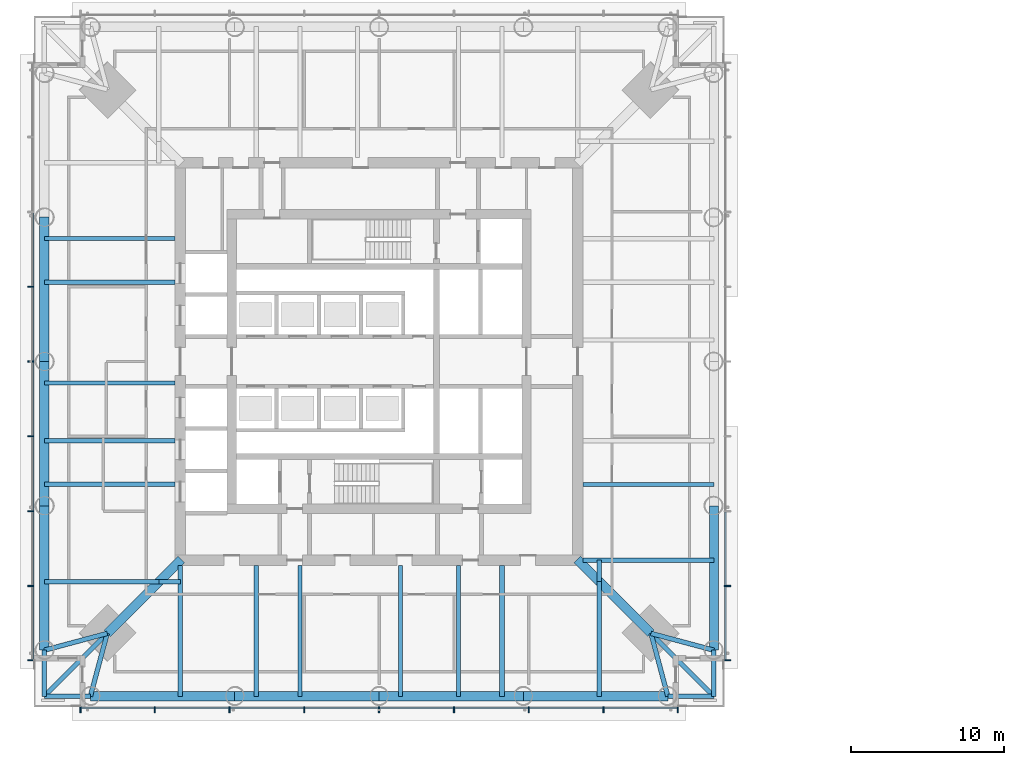
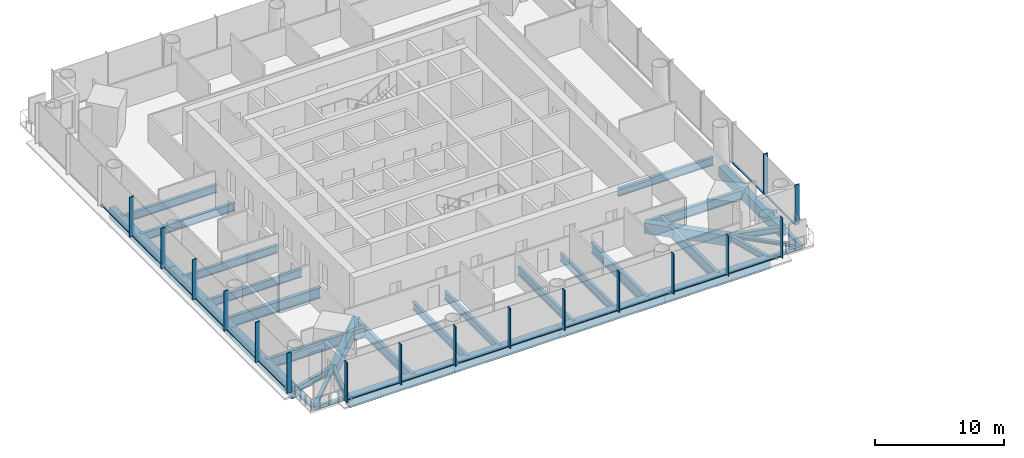
# One storey, part 2 of 27: 43 members, 27 beams, 3 elements without a shape of their own.
"""IFC4 building model written with IfcOpenShell, lengths in metres."""

import ifcopenshell
import ifcopenshell.guid

model = None  # the IFC model being written
_history = None  # IfcOwnerHistory: only IFC2X3 demands one
_inside = {}  # id of a spatial element -> (the spatial element, [elements in it])
_under = {}  # id of a project, library or spatial element -> (it, [spatial elements below it])
_declared = {}  # id of a project -> (the project, [libraries it declares])
_typed = {}  # id of a type object -> (the type object, [elements of that type])
_made_of = {}  # id of a material, layer set ... -> (it, [elements and type objects made of it])


def new_model(schema):
    """Start an empty IFC model of exactly this schema.

    Asked for "IFC4X3", IfcOpenShell would pick the latest addendum, in which some entities
    have other attributes; the version numbers below select the first issue.
    IFC2X3 requires an IfcOwnerHistory on every rooted entity: one is made here for all.
    """
    global model, _history
    if schema == "IFC4X3":
        model = ifcopenshell.file(schema_version=(4, 3, 0, 0))
    else:
        model = ifcopenshell.file(schema=schema)
    _inside.clear()
    _under.clear()
    _declared.clear()
    _typed.clear()
    _made_of.clear()
    _history = None
    if model.schema == "IFC2X3":
        org = make("IfcOrganization", Name="unknown")
        user = make(
            "IfcPersonAndOrganization",
            ThePerson=make("IfcPerson", FamilyName="unknown"),
            TheOrganization=org,
        )
        app = make(
            "IfcApplication",
            ApplicationDeveloper=org,
            Version="unknown",
            ApplicationFullName="unknown",
            ApplicationIdentifier="unknown",
        )
        _history = make(
            "IfcOwnerHistory",
            OwningUser=user,
            OwningApplication=app,
            ChangeAction="ADDED",
            CreationDate=0,
        )
    return model


def make(cls, **values):
    """One entity of the class cls with the attributes given. An attribute that is None is left unset."""
    return model.create_entity(
        cls, **{name: value for name, value in values.items() if value is not None}
    )


def rooted(cls, **values):
    """An entity with a GlobalId (a new one), such as an element, a storey or a relation."""
    return make(cls, GlobalId=ifcopenshell.guid.new(), OwnerHistory=_history, **values)


def si_unit(unit_type, name, prefix=None):
    """IfcSIUnit, for example si_unit("LENGTHUNIT", "METRE", prefix="MILLI")."""
    return make("IfcSIUnit", UnitType=unit_type, Prefix=prefix, Name=name)


def assignment(units):
    """IfcUnitAssignment: the units of a project."""
    return None if units is None else make("IfcUnitAssignment", Units=units)


def point(xyz):
    """IfcCartesianPoint."""
    return None if xyz is None else make("IfcCartesianPoint", Coordinates=xyz)


def direction(xyz):
    """IfcDirection."""
    return None if xyz is None else make("IfcDirection", DirectionRatios=xyz)


def frame(location, z_axis=None, x_axis=None):
    """IfcAxis2Placement3D, a coordinate frame: its origin and axes. An axis left out is left unset."""
    return make(
        "IfcAxis2Placement3D",
        Location=point(location),
        Axis=direction(z_axis),
        RefDirection=direction(x_axis),
    )


def frame_2d(location, x_axis=None):
    """IfcAxis2Placement2D, a coordinate frame in the plane: its origin and x axis."""
    return make(
        "IfcAxis2Placement2D", Location=point(location), RefDirection=direction(x_axis)
    )


def origin():
    """The frame at (0, 0, 0) with its axes left unset."""
    return frame((0.0, 0.0, 0.0))


def origin_2d():
    """The frame at (0, 0) in the plane with its x axis left unset."""
    return frame_2d((0.0, 0.0))


def place(relative_to, where):
    """IfcLocalPlacement: puts the frame where relative to a parent placement (None: the world)."""
    return make(
        "IfcLocalPlacement", PlacementRelTo=relative_to, RelativePlacement=where
    )


def context(
    kind, dimensions, precision=None, world=None, true_north=None, identifier=None
):
    """IfcGeometricRepresentationContext, for example the 3D "Model" context."""
    return make(
        "IfcGeometricRepresentationContext",
        ContextIdentifier=identifier,
        ContextType=kind,
        CoordinateSpaceDimension=dimensions,
        Precision=precision,
        WorldCoordinateSystem=world,
        TrueNorth=true_north,
    )


def subcontext(parent, identifier, kind, view, scale=None):
    """IfcGeometricRepresentationSubContext, for example "Body" below "Model"."""
    return make(
        "IfcGeometricRepresentationSubContext",
        ContextIdentifier=identifier,
        ContextType=kind,
        ParentContext=parent,
        TargetScale=scale,
        TargetView=view,
    )


def project(units=None, contexts=None):
    """IfcProject with its units and contexts."""
    return rooted(
        "IfcProject",
        Name="project",
        RepresentationContexts=contexts,
        UnitsInContext=assignment(units),
    )


def spatial(cls, under=None, at=None, **own):
    """A site, building, storey or space (cls), placed at a placement, below another one or the project."""
    s = rooted(cls, ObjectPlacement=at, **own)
    if under is not None:
        _under.setdefault(under.id(), (under, []))[1].append(s)
    return s


def profile(cls, at=None, kind="AREA", **sizes):
    """A parametric profile (cls). Its sizes go by their IFC names, for example OverallWidth=200.0."""
    return make(cls, ProfileType=kind, Position=at, **sizes)


def rectangle(**sizes):
    """IfcRectangleProfileDef."""
    return profile("IfcRectangleProfileDef", **sizes)


def hollow_rectangle(**sizes):
    """IfcRectangleHollowProfileDef."""
    return profile("IfcRectangleHollowProfileDef", **sizes)


def i_section(**sizes):
    """IfcIShapeProfileDef."""
    return profile("IfcIShapeProfileDef", **sizes)


def extrude(swept, where, along, depth):
    """IfcExtrudedAreaSolid: the profile swept, set in the frame where, extruded along a direction by depth."""
    return make(
        "IfcExtrudedAreaSolid",
        SweptArea=swept,
        Position=where,
        ExtrudedDirection=direction(along),
        Depth=depth,
    )


def shape(context_of_items, identifier, shape_type, items):
    """IfcShapeRepresentation: the items that make up one representation, for example the "Body"."""
    return make(
        "IfcShapeRepresentation",
        ContextOfItems=context_of_items,
        RepresentationIdentifier=identifier,
        RepresentationType=shape_type,
        Items=items,
    )


def material(Name=None, Category=None):
    """IfcMaterial."""
    return make("IfcMaterial", Name=Name, Category=Category)


def material_profile(
    of_material, cross_section, Name=None, Category=None, Priority=None
):
    """IfcMaterialProfile: a cross section and its material."""
    return make(
        "IfcMaterialProfile",
        Name=Name,
        Material=of_material,
        Profile=cross_section,
        Priority=Priority,
        Category=Category,
    )


def profile_set(profiles, Name=None, composite=None):
    """IfcMaterialProfileSet."""
    return make(
        "IfcMaterialProfileSet",
        Name=Name,
        MaterialProfiles=profiles,
        CompositeProfile=composite,
    )


def made_of(thing, what):
    """Note that an element or type object is made of a material, layer set ...; save() writes the relation."""
    if what is not None:
        _made_of.setdefault(what.id(), (what, []))[1].append(thing)
    return thing


def type_object(cls, material=None, **own):
    """A type object (cls), such as IfcWallType, which elements share."""
    return made_of(rooted(cls, **own), material)


def element(
    cls,
    number,
    at=None,
    inside=None,
    cuts=None,
    type_object=None,
    material=None,
    context=None,
    identifier="Body",
    shape_type=None,
    held_by="IfcProductDefinitionShape",
    body=None,
    shapes=None,
    **own,
):
    """One element of the class cls, such as IfcWall. Its Tag is "e" and its number.

    at: its placement. inside: the storey or other place that contains it. cuts: it is an
    opening in that element (IfcRelVoidsElement). A single representation is given by context,
    identifier, shape_type and body (its items); several are given by shapes. held_by: the class
    of the entity that holds the representations. save() writes the other relations.
    """
    e = rooted(cls, Tag="e%d" % number, ObjectPlacement=at, **own)
    if body is not None:
        shapes = [shape(context, identifier, shape_type, body)]
    if shapes is not None:
        e.Representation = make(held_by, Representations=shapes)
    if inside is not None:
        _inside.setdefault(inside.id(), (inside, []))[1].append(e)
    if cuts is not None:
        rooted(
            "IfcRelVoidsElement", RelatingBuildingElement=cuts, RelatedOpeningElement=e
        )
    if type_object is not None:
        _typed.setdefault(type_object.id(), (type_object, []))[1].append(e)
    return made_of(e, material)


def aggregate(whole, parts):
    """IfcRelAggregates: a whole, such as a stair, and the parts it consists of."""
    return rooted("IfcRelAggregates", RelatingObject=whole, RelatedObjects=parts)


def save(model, path):
    """Write the relations noted so far, then the file.

    IfcRelAggregates (storeys below a building ...), IfcRelContainedInSpatialStructure (elements
    in a storey), IfcRelDefinesByType, IfcRelAssociatesMaterial and IfcRelDeclares: one each for
    every whole, place, type object, material and project.
    """
    for whole, parts in _under.values():
        aggregate(whole, parts)
    for where, things in _inside.values():
        rooted(
            "IfcRelContainedInSpatialStructure",
            RelatedElements=things,
            RelatingStructure=where,
        )
    for kind, things in _typed.values():
        rooted("IfcRelDefinesByType", RelatedObjects=things, RelatingType=kind)
    for what, things in _made_of.values():
        rooted("IfcRelAssociatesMaterial", RelatedObjects=things, RelatingMaterial=what)
    for by, libraries in _declared.values():
        rooted("IfcRelDeclares", RelatingContext=by, RelatedDefinitions=libraries)
    model.write(path)


model = new_model("IFC4")

# Units and contexts
model_context = context("Model", 3, precision=1e-05, world=origin(), true_north=direction((0.0, 1.0)))
body_context = subcontext(model_context, "Body", "Model", "MODEL_VIEW")
ifc_project = project(units=[si_unit("LENGTHUNIT", "METRE"), si_unit("AREAUNIT", "SQUARE_METRE"), si_unit("VOLUMEUNIT", "CUBIC_METRE"), si_unit("PLANEANGLEUNIT", "RADIAN"), si_unit("MASSUNIT", "GRAM", prefix="KILO")], contexts=[model_context])

# Site, building, storey
site_placement = place(None, origin())
site = spatial("IfcSite", under=ifc_project, at=site_placement, CompositionType="ELEMENT")
building_placement = place(site_placement, origin())
building = spatial("IfcBuilding", under=site, at=building_placement, Name="Ostroluk Exchange", CompositionType="ELEMENT")
storey_placement = place(building_placement, frame((0.0, 0.0, 89.39990234375)))
storey = spatial("IfcBuildingStorey", under=building, at=storey_placement, Name="L22", CompositionType="ELEMENT", Elevation=89.39990234375)

# Beams
ifc_material_1 = material(Name="Steel S355", Category="steel")
ifc_material_profile_1 = material_profile(ifc_material_1, i_section(OverallWidth=0.300048828125, OverallDepth=0.300048828125, WebThickness=0.010986328125, FlangeThickness=0.01904296875, FilletRadius=0.027099609375, at=origin_2d()), Name="HEB 300")
ifc_profile_set_1 = profile_set([ifc_material_profile_1], Name="Steel S355")
beam_type_1 = type_object("IfcBeamType", Name="Balcony beam HEB 300", PredefinedType="BEAM", material=ifc_profile_set_1)
for number, where, z_axis, x_axis, name in (
    (1, (23.185791015625, 27.185791015625, -0.349853515625), (0.0, -1.0, 0.0), (1.0, 0.0, 0.0), "T1 west balcony beam a"),
    (2, (26.185791015625, 24.185791015625, -0.349853515625), (-1.0, 0.0, 0.0), (0.0, -1.0, 0.0), "T1 west balcony beam b"),
):
    element("IfcBeam", number, at=place(storey_placement, frame(where, z_axis=z_axis, x_axis=x_axis)), inside=storey, type_object=beam_type_1, Name=name, PredefinedType="BEAM", context=body_context, shape_type="SweptSolid", body=[
        extrude(i_section(OverallWidth=0.300048828125, OverallDepth=0.300048828125, WebThickness=0.010986328125, FlangeThickness=0.01904296875, FilletRadius=0.027099609375, at=origin_2d()), origin(), (0.0, 0.0, 1.0), 3.0),
    ])
beam_1_placement = place(storey_placement, frame((27.28564453125, 28.28564453125, -0.349853515625), z_axis=(-0.707106781187, -0.707106781187, 0.0), x_axis=(0.707106781187, -0.707106781187, 0.0)))
element("IfcBeam", 3, at=beam_1_placement, inside=storey, type_object=beam_type_1, Name="T1 west balcony beam c", PredefinedType="BEAM", context=body_context, shape_type="SweptSolid", body=[
    extrude(i_section(OverallWidth=0.300048828125, OverallDepth=0.300048828125, WebThickness=0.010986328125, FlangeThickness=0.01904296875, FilletRadius=0.027099609375, at=origin_2d()), origin(), (0.0, 0.0, 1.0), 5.798095703125),
])
for number, where, z_axis, x_axis, name in (
    (4, (63.814208984375, 24.185791015625, -0.349853515625), (1.0, 0.0, 0.0), (0.0, 1.0, 0.0), "T1 south balcony beam a"),
    (5, (66.814208984375, 27.185791015625, -0.349853515625), (0.0, -1.0, 0.0), (1.0, 0.0, 0.0), "T1 south balcony beam b"),
):
    element("IfcBeam", number, at=place(storey_placement, frame(where, z_axis=z_axis, x_axis=x_axis)), inside=storey, type_object=beam_type_1, Name=name, PredefinedType="BEAM", context=body_context, shape_type="SweptSolid", body=[
        extrude(i_section(OverallWidth=0.300048828125, OverallDepth=0.300048828125, WebThickness=0.010986328125, FlangeThickness=0.01904296875, FilletRadius=0.027099609375, at=origin_2d()), origin(), (0.0, 0.0, 1.0), 3.0),
    ])
beam_2_placement = place(storey_placement, frame((62.71435546875, 28.28564453125, -0.349853515625), z_axis=(0.707106781187, -0.707106781187, 0.0), x_axis=(0.707106781187, 0.707106781187, 0.0)))
element("IfcBeam", 6, at=beam_2_placement, inside=storey, type_object=beam_type_1, Name="T1 south balcony beam c", PredefinedType="BEAM", context=body_context, shape_type="SweptSolid", body=[
    extrude(i_section(OverallWidth=0.300048828125, OverallDepth=0.300048828125, WebThickness=0.010986328125, FlangeThickness=0.01904296875, FilletRadius=0.027099609375, at=origin_2d()), origin(), (0.0, 0.0, 1.0), 5.798095703125),
])

# Members
ifc_material_2 = material(Name="Steel S460", Category="steel")
ifc_material_profile_2 = material_profile(ifc_material_2, hollow_rectangle(XDim=0.60009765625, YDim=1.0, WallThickness=0.06005859375, at=origin_2d()), Name="BOX 600x1000x60")
ifc_profile_set_2 = profile_set([ifc_material_profile_2], Name="Steel S460")
member_type_1 = type_object("IfcMemberType", Name="Belt truss chord BOX 600x1000x60", PredefinedType="CHORD", material=ifc_profile_set_2)
member_1_placement = place(storey_placement, frame((66.814208984375, 27.185791015625, -0.699951171875), z_axis=(0.0, 1.0, 0.0), x_axis=(-1.0, 0.0, 0.0)))
element("IfcMember", 7, at=member_1_placement, inside=storey, type_object=member_type_1, Name="Belt truss 1 east chord 3.1", PredefinedType="CHORD", context=body_context, shape_type="SweptSolid", body=[
    extrude(hollow_rectangle(XDim=0.60009765625, YDim=1.0, WallThickness=0.06005859375, at=origin_2d()), origin(), (0.0, 0.0, 1.0), 9.406982421875),
])
for number, where, z_axis, x_axis, name in (
    (8, (23.185791015625, 55.4072265625, -0.699951171875), (0.0, -1.0, 0.0), (1.0, 0.0, 0.0), "Belt truss 1 west chord 3.2"),
    (9, (23.185791015625, 46.0, -0.699951171875), (0.0, -1.0, 0.0), (1.0, 0.0, 0.0), "Belt truss 1 west chord 3.3"),
):
    element("IfcMember", number, at=place(storey_placement, frame(where, z_axis=z_axis, x_axis=x_axis)), inside=storey, type_object=member_type_1, Name=name, PredefinedType="CHORD", context=body_context, shape_type="SweptSolid", body=[
        extrude(hollow_rectangle(XDim=0.60009765625, YDim=1.0, WallThickness=0.06005859375, at=origin_2d()), origin(), (0.0, 0.0, 1.0), 9.4072265625),
    ])
for number, where, z_axis, x_axis, name in (
    (10, (23.185791015625, 36.5927734375, -0.699951171875), (0.0, -1.0, 0.0), (1.0, 0.0, 0.0), "Belt truss 1 west chord 3.4"),
    (11, (26.185791015625, 24.185791015625, -0.699951171875), (1.0, 0.0, 0.0), (0.0, 1.0, 0.0), "Belt truss 1 south chord 3.1"),
):
    element("IfcMember", number, at=place(storey_placement, frame(where, z_axis=z_axis, x_axis=x_axis)), inside=storey, type_object=member_type_1, Name=name, PredefinedType="CHORD", context=body_context, shape_type="SweptSolid", body=[
        extrude(hollow_rectangle(XDim=0.60009765625, YDim=1.0, WallThickness=0.06005859375, at=origin_2d()), origin(), (0.0, 0.0, 1.0), 9.406982421875),
    ])
for number, where, z_axis, x_axis, name in (
    (12, (35.5927734375, 24.185791015625, -0.699951171875), (1.0, 0.0, 0.0), (0.0, 1.0, 0.0), "Belt truss 1 south chord 3.2"),
    (13, (45.0, 24.185791015625, -0.699951171875), (1.0, 0.0, 0.0), (0.0, 1.0, 0.0), "Belt truss 1 south chord 3.3"),
):
    element("IfcMember", number, at=place(storey_placement, frame(where, z_axis=z_axis, x_axis=x_axis)), inside=storey, type_object=member_type_1, Name=name, PredefinedType="CHORD", context=body_context, shape_type="SweptSolid", body=[
        extrude(hollow_rectangle(XDim=0.60009765625, YDim=1.0, WallThickness=0.06005859375, at=origin_2d()), origin(), (0.0, 0.0, 1.0), 9.4072265625),
    ])
member_2_placement = place(storey_placement, frame((54.4072265625, 24.185791015625, -0.699951171875), z_axis=(1.0, 0.0, 0.0), x_axis=(0.0, 1.0, 0.0)))
element("IfcMember", 14, at=member_2_placement, inside=storey, type_object=member_type_1, Name="Belt truss 1 south chord 3.4", PredefinedType="CHORD", context=body_context, shape_type="SweptSolid", body=[
    extrude(hollow_rectangle(XDim=0.60009765625, YDim=1.0, WallThickness=0.06005859375, at=origin_2d()), origin(), (0.0, 0.0, 1.0), 9.406982421875),
])

# Beams
ifc_material_3 = material(Name="Steel S355", Category="steel")
ifc_material_profile_3 = material_profile(ifc_material_3, i_section(OverallWidth=0.300048828125, OverallDepth=0.550048828125, WebThickness=0.014892578125, FlangeThickness=0.029052734375, FilletRadius=0.027099609375, at=origin_2d()), Name="HEB 550")
ifc_profile_set_3 = profile_set([ifc_material_profile_3], Name="Steel S355")
beam_type_2 = type_object("IfcBeamType", Name="Corner edge beam HEB 550", PredefinedType="SPANDREL", material=ifc_profile_set_3)
for number, where, z_axis, x_axis, name in (
    (15, (27.28564453125, 28.28564453125, -0.474853515625), (-0.965849156574, -0.259105011038, 0.0), (0.259105011038, -0.965849156574, 0.0), "T1 west corner edge beam a"),
    (16, (27.28564453125, 28.28564453125, -0.474853515625), (-0.259105011038, -0.965849156574, 0.0), (0.965849156574, -0.259105011038, 0.0), "T1 west corner edge beam b"),
    (17, (62.71435546875, 28.28564453125, -0.474853515625), (0.259105011038, -0.965849156574, 0.0), (0.965849156574, 0.259105011038, 0.0), "T1 south corner edge beam a"),
    (18, (62.71435546875, 28.28564453125, -0.474853515625), (0.965849156574, -0.259105011038, 0.0), (0.259105011038, 0.965849156574, 0.0), "T1 south corner edge beam b"),
):
    element("IfcBeam", number, at=place(storey_placement, frame(where, z_axis=z_axis, x_axis=x_axis)), inside=storey, type_object=beam_type_2, Name=name, PredefinedType="SPANDREL", context=body_context, shape_type="SweptSolid", body=[
        extrude(i_section(OverallWidth=0.300048828125, OverallDepth=0.550048828125, WebThickness=0.014892578125, FlangeThickness=0.029052734375, FilletRadius=0.027099609375, at=origin_2d()), origin(), (0.0, 0.0, 1.0), 4.244873046875),
    ])
ifc_material_4 = material(Name="Steel S355", Category="steel")
ifc_material_profile_4 = material_profile(ifc_material_4, i_section(OverallWidth=0.302001953125, OverallDepth=1.008056640625, WebThickness=0.02099609375, FlangeThickness=0.0400390625, FilletRadius=0.030029296875, at=origin_2d()), Name="HEM 1000")
ifc_profile_set_4 = profile_set([ifc_material_profile_4], Name="Steel S355")
beam_type_3 = type_object("IfcBeamType", Name="Floor beam HEM 1000", PredefinedType="BEAM", material=ifc_profile_set_4)
beam_3_placement = place(storey_placement, frame((31.699951171875, 37.992919921875, -0.703857421875), z_axis=(-1.0, 0.0, 0.0), x_axis=(0.0, -1.0, 0.0)))
element("IfcBeam", 19, at=beam_3_placement, inside=storey, type_object=beam_type_3, Name="T1 west floor beam 5", PredefinedType="BEAM", context=body_context, shape_type="SweptSolid", body=[
    extrude(i_section(OverallWidth=0.302001953125, OverallDepth=1.008056640625, WebThickness=0.02099609375, FlangeThickness=0.0400390625, FilletRadius=0.030029296875, at=origin_2d()), origin(), (0.0, 0.0, 1.0), 8.51416015625),
])
beam_4_placement = place(storey_placement, frame((32.050048828125, 31.64990234375, -0.703857421875), z_axis=(-1.0, 0.0, 0.0), x_axis=(0.0, -1.0, 0.0)))
element("IfcBeam", 20, at=beam_4_placement, inside=storey, type_object=beam_type_3, Name="T1 west floor beam 6", PredefinedType="BEAM", context=body_context, shape_type="SweptSolid", body=[
    extrude(i_section(OverallWidth=0.302001953125, OverallDepth=1.008056640625, WebThickness=0.02099609375, FlangeThickness=0.0400390625, FilletRadius=0.030029296875, at=origin_2d()), origin(), (0.0, 0.0, 1.0), 1.400146484375),
])
beam_5_placement = place(storey_placement, frame((30.64990234375, 31.64990234375, -0.703857421875), z_axis=(-1.0, 0.0, 0.0), x_axis=(0.0, -1.0, 0.0)))
element("IfcBeam", 21, at=beam_5_placement, inside=storey, type_object=beam_type_3, Name="T1 west floor beam 6", PredefinedType="BEAM", context=body_context, shape_type="SweptSolid", body=[
    extrude(i_section(OverallWidth=0.302001953125, OverallDepth=1.008056640625, WebThickness=0.02099609375, FlangeThickness=0.0400390625, FilletRadius=0.030029296875, at=origin_2d()), origin(), (0.0, 0.0, 1.0), 7.464111328125),
])
beam_6_placement = place(storey_placement, frame((53.007080078125, 32.699951171875, -0.703857421875), z_axis=(0.0, -1.0, 0.0), x_axis=(1.0, 0.0, 0.0)))
element("IfcBeam", 22, at=beam_6_placement, inside=storey, type_object=beam_type_3, Name="T1 south floor beam 5", PredefinedType="BEAM", context=body_context, shape_type="SweptSolid", body=[
    extrude(i_section(OverallWidth=0.302001953125, OverallDepth=1.008056640625, WebThickness=0.02099609375, FlangeThickness=0.0400390625, FilletRadius=0.030029296875, at=origin_2d()), origin(), (0.0, 0.0, 1.0), 8.51416015625),
])
beam_7_placement = place(storey_placement, frame((59.35009765625, 33.050048828125, -0.703857421875), z_axis=(0.0, -1.0, 0.0), x_axis=(1.0, 0.0, 0.0)))
element("IfcBeam", 23, at=beam_7_placement, inside=storey, type_object=beam_type_3, Name="T1 south floor beam 6", PredefinedType="BEAM", context=body_context, shape_type="SweptSolid", body=[
    extrude(i_section(OverallWidth=0.302001953125, OverallDepth=1.008056640625, WebThickness=0.02099609375, FlangeThickness=0.0400390625, FilletRadius=0.030029296875, at=origin_2d()), origin(), (0.0, 0.0, 1.0), 1.400146484375),
])
beam_8_placement = place(storey_placement, frame((59.35009765625, 31.64990234375, -0.703857421875), z_axis=(0.0, -1.0, 0.0), x_axis=(1.0, 0.0, 0.0)))
element("IfcBeam", 24, at=beam_8_placement, inside=storey, type_object=beam_type_3, Name="T1 south floor beam 6", PredefinedType="BEAM", context=body_context, shape_type="SweptSolid", body=[
    extrude(i_section(OverallWidth=0.302001953125, OverallDepth=1.008056640625, WebThickness=0.02099609375, FlangeThickness=0.0400390625, FilletRadius=0.030029296875, at=origin_2d()), origin(), (0.0, 0.0, 1.0), 7.464111328125),
])
ifc_material_5 = material(Name="Steel S355", Category="steel")
ifc_material_profile_5 = material_profile(ifc_material_5, i_section(OverallWidth=0.26708984375, OverallDepth=0.761962890625, WebThickness=0.014404296875, FlangeThickness=0.021484375, FilletRadius=0.01708984375, at=origin_2d()), Name="IPE 750x173")
ifc_profile_set_5 = profile_set([ifc_material_profile_5], Name="Steel S355")
beam_type_4 = type_object("IfcBeamType", Name="Floor beam IPE 750x173", PredefinedType="BEAM", material=ifc_profile_set_5)
for number, where, z_axis, x_axis, name in (
    (25, (58.300048828125, 37.992919921875, -0.580810546875), (1.0, 0.0, 0.0), (0.0, 1.0, 0.0), "T1 east floor beam 1"),
    (26, (31.699951171875, 54.007080078125, -0.580810546875), (-1.0, 0.0, 0.0), (0.0, -1.0, 0.0), "T1 west floor beam 1"),
    (27, (31.699951171875, 51.162841796875, -0.580810546875), (-1.0, 0.0, 0.0), (0.0, -1.0, 0.0), "T1 west floor beam 2"),
    (28, (31.699951171875, 44.60009765625, -0.580810546875), (-1.0, 0.0, 0.0), (0.0, -1.0, 0.0), "T1 west floor beam 3"),
    (29, (31.699951171875, 40.837158203125, -0.580810546875), (-1.0, 0.0, 0.0), (0.0, -1.0, 0.0), "T1 west floor beam 4"),
    (30, (36.992919921875, 32.699951171875, -0.580810546875), (0.0, -1.0, 0.0), (1.0, 0.0, 0.0), "T1 south floor beam 1"),
    (31, (39.837158203125, 32.699951171875, -0.580810546875), (0.0, -1.0, 0.0), (1.0, 0.0, 0.0), "T1 south floor beam 2"),
    (32, (46.39990234375, 32.699951171875, -0.580810546875), (0.0, -1.0, 0.0), (1.0, 0.0, 0.0), "T1 south floor beam 3"),
    (33, (50.162841796875, 32.699951171875, -0.580810546875), (0.0, -1.0, 0.0), (1.0, 0.0, 0.0), "T1 south floor beam 4"),
):
    element("IfcBeam", number, at=place(storey_placement, frame(where, z_axis=z_axis, x_axis=x_axis)), inside=storey, type_object=beam_type_4, Name=name, PredefinedType="BEAM", context=body_context, shape_type="SweptSolid", body=[
        extrude(i_section(OverallWidth=0.26708984375, OverallDepth=0.761962890625, WebThickness=0.014404296875, FlangeThickness=0.021484375, FilletRadius=0.01708984375, at=origin_2d()), origin(), (0.0, 0.0, 1.0), 8.51416015625),
    ])
ifc_material_6 = material(Name="Steel S355", Category="steel")
ifc_material_profile_6 = material_profile(ifc_material_6, i_section(OverallWidth=0.300048828125, OverallDepth=0.89990234375, WebThickness=0.0185546875, FlangeThickness=0.034912109375, FilletRadius=0.030029296875, at=origin_2d()), Name="HEB 900")
ifc_profile_set_6 = profile_set([ifc_material_profile_6], Name="Steel S355")
beam_type_5 = type_object("IfcBeamType", Name="Girder HEB 900", PredefinedType="BEAM", material=ifc_profile_set_6)
for number, where, z_axis, x_axis, name in (
    (34, (32.050048828125, 32.699951171875, -0.64990234375), (0.0, -1.0, 0.0), (1.0, 0.0, 0.0), "T1 west girder"),
    (35, (58.300048828125, 33.050048828125, -0.64990234375), (1.0, 0.0, 0.0), (0.0, 1.0, 0.0), "T1 south girder"),
):
    element("IfcBeam", number, at=place(storey_placement, frame(where, z_axis=z_axis, x_axis=x_axis)), inside=storey, type_object=beam_type_5, Name=name, PredefinedType="BEAM", context=body_context, shape_type="SweptSolid", body=[
        extrude(i_section(OverallWidth=0.300048828125, OverallDepth=0.89990234375, WebThickness=0.0185546875, FlangeThickness=0.034912109375, FilletRadius=0.030029296875, at=origin_2d()), origin(), (0.0, 0.0, 1.0), 8.51416015625),
    ])

# Members
ifc_material_7 = material(Name="Steel S460", Category="steel")
ifc_material_profile_7 = material_profile(ifc_material_7, hollow_rectangle(XDim=0.60009765625, YDim=1.0, WallThickness=0.06005859375, at=origin_2d()), Name="BOX 600x1000x60")
ifc_profile_set_7 = profile_set([ifc_material_profile_7], Name="Steel S460")
member_type_2 = type_object("IfcMemberType", Name="Outrigger chord BOX 600x1000x60", PredefinedType="CHORD", material=ifc_profile_set_7)
for number, where, z_axis, x_axis, name in (
    (36, (32.10009765625, 33.10009765625, -0.699951171875), (-0.707106781187, -0.707106781187, 0.0), (0.707106781187, -0.707106781187, 0.0), "Outrigger 1 SW chord 3"),
    (37, (57.89990234375, 33.10009765625, -0.699951171875), (0.707106781187, -0.707106781187, 0.0), (0.707106781187, 0.707106781187, 0.0), "Outrigger 1 SE chord 3"),
):
    element("IfcMember", number, at=place(storey_placement, frame(where, z_axis=z_axis, x_axis=x_axis)), inside=storey, type_object=member_type_2, Name=name, PredefinedType="CHORD", context=body_context, shape_type="SweptSolid", body=[
        extrude(hollow_rectangle(XDim=0.60009765625, YDim=1.0, WallThickness=0.06005859375, at=origin_2d()), origin(), (0.0, 0.0, 1.0), 6.80859375),
    ])

# Curtain wall, members
ifc_material_8 = material(Name="Laminated clear glass", Category="glass")
curtain_wall_type = type_object("IfcCurtainWallType", Name="Office tower plant and sky lobby facade", PredefinedType="USERDEFINED", material=ifc_material_8)
curtain_wall_1_placement = place(storey_placement, origin())
curtain_wall_1 = element("IfcCurtainWall", 38, at=curtain_wall_1_placement, inside=storey, type_object=curtain_wall_type, Name="Office tower south facade L22", ObjectType="LOUVRED CURTAIN WALL", PredefinedType="USERDEFINED")
ifc_material_9 = material(Name="Aluminium mullion", Category="aluminium")
ifc_material_profile_8 = material_profile(ifc_material_9, rectangle(XDim=0.14990234375, YDim=0.080078125, at=origin_2d()), Name="Sill transom 80 x 150")
ifc_profile_set_8 = profile_set([ifc_material_profile_8], Name="Aluminium mullion")
member_type_3 = type_object("IfcMemberType", Name="Sill transom 80 x 150", PredefinedType="USERDEFINED", material=ifc_profile_set_8)
member_3_placement = place(storey_placement, frame((25.580078125, 23.425048828125, 0.0400390625), z_axis=(1.0, 0.0, 0.0), x_axis=(0.0, 1.0, 0.0)))
member_3 = element("IfcMember", 39, at=member_3_placement, type_object=member_type_3, Name="CW-P1 transom 1.1", ObjectType="TRANSOM", PredefinedType="USERDEFINED", context=body_context, shape_type="SweptSolid", body=[
    extrude(rectangle(XDim=0.14990234375, YDim=0.080078125, at=origin_2d()), origin(), (0.0, 0.0, 1.0), 4.7548828125),
])
member_4_placement = place(storey_placement, frame((30.4150390625, 23.425048828125, 0.0400390625), z_axis=(1.0, 0.0, 0.0), x_axis=(0.0, 1.0, 0.0)))
member_4 = element("IfcMember", 40, at=member_4_placement, type_object=member_type_3, Name="CW-P1 transom 2.1", ObjectType="TRANSOM", PredefinedType="USERDEFINED", context=body_context, shape_type="SweptSolid", body=[
    extrude(rectangle(XDim=0.14990234375, YDim=0.080078125, at=origin_2d()), origin(), (0.0, 0.0, 1.0), 4.794921875),
])
member_5_placement = place(storey_placement, frame((35.2900390625, 23.425048828125, 0.0400390625), z_axis=(1.0, 0.0, 0.0), x_axis=(0.0, 1.0, 0.0)))
member_5 = element("IfcMember", 41, at=member_5_placement, type_object=member_type_3, Name="CW-P1 transom 3.1", ObjectType="TRANSOM", PredefinedType="USERDEFINED", context=body_context, shape_type="SweptSolid", body=[
    extrude(rectangle(XDim=0.14990234375, YDim=0.080078125, at=origin_2d()), origin(), (0.0, 0.0, 1.0), 4.794921875),
])
member_6_placement = place(storey_placement, frame((40.1650390625, 23.425048828125, 0.0400390625), z_axis=(1.0, 0.0, 0.0), x_axis=(0.0, 1.0, 0.0)))
member_6 = element("IfcMember", 42, at=member_6_placement, type_object=member_type_3, Name="CW-P1 transom 4.1", ObjectType="TRANSOM", PredefinedType="USERDEFINED", context=body_context, shape_type="SweptSolid", body=[
    extrude(rectangle(XDim=0.14990234375, YDim=0.080078125, at=origin_2d()), origin(), (0.0, 0.0, 1.0), 4.794921875),
])
member_7_placement = place(storey_placement, frame((45.0400390625, 23.425048828125, 0.0400390625), z_axis=(1.0, 0.0, 0.0), x_axis=(0.0, 1.0, 0.0)))
member_7 = element("IfcMember", 43, at=member_7_placement, type_object=member_type_3, Name="CW-P1 transom 5.1", ObjectType="TRANSOM", PredefinedType="USERDEFINED", context=body_context, shape_type="SweptSolid", body=[
    extrude(rectangle(XDim=0.14990234375, YDim=0.080078125, at=origin_2d()), origin(), (0.0, 0.0, 1.0), 4.794921875),
])
member_8_placement = place(storey_placement, frame((49.9150390625, 23.425048828125, 0.0400390625), z_axis=(1.0, 0.0, 0.0), x_axis=(0.0, 1.0, 0.0)))
member_8 = element("IfcMember", 44, at=member_8_placement, type_object=member_type_3, Name="CW-P1 transom 6.1", ObjectType="TRANSOM", PredefinedType="USERDEFINED", context=body_context, shape_type="SweptSolid", body=[
    extrude(rectangle(XDim=0.14990234375, YDim=0.080078125, at=origin_2d()), origin(), (0.0, 0.0, 1.0), 4.794921875),
])
member_9_placement = place(storey_placement, frame((54.7900390625, 23.425048828125, 0.0400390625), z_axis=(1.0, 0.0, 0.0), x_axis=(0.0, 1.0, 0.0)))
member_9 = element("IfcMember", 45, at=member_9_placement, type_object=member_type_3, Name="CW-P1 transom 7.1", ObjectType="TRANSOM", PredefinedType="USERDEFINED", context=body_context, shape_type="SweptSolid", body=[
    extrude(rectangle(XDim=0.14990234375, YDim=0.080078125, at=origin_2d()), origin(), (0.0, 0.0, 1.0), 4.794921875),
])
member_10_placement = place(storey_placement, frame((59.6650390625, 23.425048828125, 0.0400390625), z_axis=(1.0, 0.0, 0.0), x_axis=(0.0, 1.0, 0.0)))
member_10 = element("IfcMember", 46, at=member_10_placement, type_object=member_type_3, Name="CW-P1 transom 8.1", ObjectType="TRANSOM", PredefinedType="USERDEFINED", context=body_context, shape_type="SweptSolid", body=[
    extrude(rectangle(XDim=0.14990234375, YDim=0.080078125, at=origin_2d()), origin(), (0.0, 0.0, 1.0), 4.7548828125),
])

curtain_wall_2_placement = place(storey_placement, origin())
curtain_wall_2 = element("IfcCurtainWall", 47, at=curtain_wall_2_placement, inside=storey, type_object=curtain_wall_type, Name="Office tower east facade L22", ObjectType="LOUVRED CURTAIN WALL", PredefinedType="USERDEFINED")
member_11_placement = place(storey_placement, frame((67.574951171875, 26.580078125, 0.0400390625), z_axis=(0.0, 1.0, 0.0), x_axis=(-1.0, 0.0, 0.0)))
member_11 = element("IfcMember", 48, at=member_11_placement, type_object=member_type_3, Name="CW-P1 transom 1.1", ObjectType="TRANSOM", PredefinedType="USERDEFINED", context=body_context, shape_type="SweptSolid", body=[
    extrude(rectangle(XDim=0.14990234375, YDim=0.080078125, at=origin_2d()), origin(), (0.0, 0.0, 1.0), 4.7548828125),
])
member_12_placement = place(storey_placement, frame((67.574951171875, 31.4150390625, 0.0400390625), z_axis=(0.0, 1.0, 0.0), x_axis=(-1.0, 0.0, 0.0)))
member_12 = element("IfcMember", 49, at=member_12_placement, type_object=member_type_3, Name="CW-P1 transom 2.1", ObjectType="TRANSOM", PredefinedType="USERDEFINED", context=body_context, shape_type="SweptSolid", body=[
    extrude(rectangle(XDim=0.14990234375, YDim=0.080078125, at=origin_2d()), origin(), (0.0, 0.0, 1.0), 4.794921875),
])

curtain_wall_3_placement = place(storey_placement, origin())
curtain_wall_3 = element("IfcCurtainWall", 50, at=curtain_wall_3_placement, inside=storey, type_object=curtain_wall_type, Name="Office tower west facade L22", ObjectType="LOUVRED CURTAIN WALL", PredefinedType="USERDEFINED")
member_13_placement = place(storey_placement, frame((22.425048828125, 55.7099609375, 0.0400390625), z_axis=(0.0, -1.0, 0.0), x_axis=(1.0, 0.0, 0.0)))
member_13 = element("IfcMember", 51, at=member_13_placement, type_object=member_type_3, Name="CW-P1 transom 3.1", ObjectType="TRANSOM", PredefinedType="USERDEFINED", context=body_context, shape_type="SweptSolid", body=[
    extrude(rectangle(XDim=0.14990234375, YDim=0.080078125, at=origin_2d()), origin(), (0.0, 0.0, 1.0), 4.794921875),
])
member_14_placement = place(storey_placement, frame((22.425048828125, 50.8349609375, 0.0400390625), z_axis=(0.0, -1.0, 0.0), x_axis=(1.0, 0.0, 0.0)))
member_14 = element("IfcMember", 52, at=member_14_placement, type_object=member_type_3, Name="CW-P1 transom 4.1", ObjectType="TRANSOM", PredefinedType="USERDEFINED", context=body_context, shape_type="SweptSolid", body=[
    extrude(rectangle(XDim=0.14990234375, YDim=0.080078125, at=origin_2d()), origin(), (0.0, 0.0, 1.0), 4.794921875),
])
member_15_placement = place(storey_placement, frame((22.425048828125, 45.9599609375, 0.0400390625), z_axis=(0.0, -1.0, 0.0), x_axis=(1.0, 0.0, 0.0)))
member_15 = element("IfcMember", 53, at=member_15_placement, type_object=member_type_3, Name="CW-P1 transom 5.1", ObjectType="TRANSOM", PredefinedType="USERDEFINED", context=body_context, shape_type="SweptSolid", body=[
    extrude(rectangle(XDim=0.14990234375, YDim=0.080078125, at=origin_2d()), origin(), (0.0, 0.0, 1.0), 4.794921875),
])
member_16_placement = place(storey_placement, frame((22.425048828125, 41.0849609375, 0.0400390625), z_axis=(0.0, -1.0, 0.0), x_axis=(1.0, 0.0, 0.0)))
member_16 = element("IfcMember", 54, at=member_16_placement, type_object=member_type_3, Name="CW-P1 transom 6.1", ObjectType="TRANSOM", PredefinedType="USERDEFINED", context=body_context, shape_type="SweptSolid", body=[
    extrude(rectangle(XDim=0.14990234375, YDim=0.080078125, at=origin_2d()), origin(), (0.0, 0.0, 1.0), 4.794921875),
])
member_17_placement = place(storey_placement, frame((22.425048828125, 36.2099609375, 0.0400390625), z_axis=(0.0, -1.0, 0.0), x_axis=(1.0, 0.0, 0.0)))
member_17 = element("IfcMember", 55, at=member_17_placement, type_object=member_type_3, Name="CW-P1 transom 7.1", ObjectType="TRANSOM", PredefinedType="USERDEFINED", context=body_context, shape_type="SweptSolid", body=[
    extrude(rectangle(XDim=0.14990234375, YDim=0.080078125, at=origin_2d()), origin(), (0.0, 0.0, 1.0), 4.794921875),
])
member_18_placement = place(storey_placement, frame((22.425048828125, 31.3349609375, 0.0400390625), z_axis=(0.0, -1.0, 0.0), x_axis=(1.0, 0.0, 0.0)))
member_18 = element("IfcMember", 56, at=member_18_placement, type_object=member_type_3, Name="CW-P1 transom 8.1", ObjectType="TRANSOM", PredefinedType="USERDEFINED", context=body_context, shape_type="SweptSolid", body=[
    extrude(rectangle(XDim=0.14990234375, YDim=0.080078125, at=origin_2d()), origin(), (0.0, 0.0, 1.0), 4.7548828125),
])

# Member
ifc_material_10 = material(Name="Aluminium mullion with limestone facing", Category="masonry")
ifc_material_profile_9 = material_profile(ifc_material_10, rectangle(XDim=0.39990234375, YDim=0.080078125, at=origin_2d()), Name="Tracery mullion 80 x 400")
ifc_profile_set_9 = profile_set([ifc_material_profile_9], Name="Aluminium mullion with limestone facing")
member_type_4 = type_object("IfcMemberType", Name="Tracery mullion 80 x 400", PredefinedType="MULLION", material=ifc_profile_set_9)
member_19_placement = place(storey_placement, frame((25.5400390625, 23.300048828125, 0.0), z_axis=(0.0, 0.0, 1.0), x_axis=(0.0, 1.0, 0.0)))
member_19 = element("IfcMember", 57, at=member_19_placement, type_object=member_type_4, Name="CW-P1 mullion 1", PredefinedType="MULLION", context=body_context, shape_type="SweptSolid", body=[
    extrude(rectangle(XDim=0.39990234375, YDim=0.080078125, at=origin_2d()), origin(), (0.0, 0.0, 1.0), 3.800048828125),
])

member_20_placement = place(storey_placement, frame((30.375, 23.300048828125, 0.0), z_axis=(0.0, 0.0, 1.0), x_axis=(0.0, 1.0, 0.0)))
member_20 = element("IfcMember", 58, at=member_20_placement, type_object=member_type_4, Name="CW-P1 mullion 2", PredefinedType="MULLION", context=body_context, shape_type="SweptSolid", body=[
    extrude(rectangle(XDim=0.39990234375, YDim=0.080078125, at=origin_2d()), origin(), (0.0, 0.0, 1.0), 3.800048828125),
])

member_21_placement = place(storey_placement, frame((35.25, 23.300048828125, 0.0), z_axis=(0.0, 0.0, 1.0), x_axis=(0.0, 1.0, 0.0)))
member_21 = element("IfcMember", 59, at=member_21_placement, type_object=member_type_4, Name="CW-P1 mullion 3", PredefinedType="MULLION", context=body_context, shape_type="SweptSolid", body=[
    extrude(rectangle(XDim=0.39990234375, YDim=0.080078125, at=origin_2d()), origin(), (0.0, 0.0, 1.0), 3.800048828125),
])

member_22_placement = place(storey_placement, frame((40.125, 23.300048828125, 0.0), z_axis=(0.0, 0.0, 1.0), x_axis=(0.0, 1.0, 0.0)))
member_22 = element("IfcMember", 60, at=member_22_placement, type_object=member_type_4, Name="CW-P1 mullion 4", PredefinedType="MULLION", context=body_context, shape_type="SweptSolid", body=[
    extrude(rectangle(XDim=0.39990234375, YDim=0.080078125, at=origin_2d()), origin(), (0.0, 0.0, 1.0), 3.800048828125),
])

member_23_placement = place(storey_placement, frame((45.0, 23.300048828125, 0.0), z_axis=(0.0, 0.0, 1.0), x_axis=(0.0, 1.0, 0.0)))
member_23 = element("IfcMember", 61, at=member_23_placement, type_object=member_type_4, Name="CW-P1 mullion 5", PredefinedType="MULLION", context=body_context, shape_type="SweptSolid", body=[
    extrude(rectangle(XDim=0.39990234375, YDim=0.080078125, at=origin_2d()), origin(), (0.0, 0.0, 1.0), 3.800048828125),
])

member_24_placement = place(storey_placement, frame((49.875, 23.300048828125, 0.0), z_axis=(0.0, 0.0, 1.0), x_axis=(0.0, 1.0, 0.0)))
member_24 = element("IfcMember", 62, at=member_24_placement, type_object=member_type_4, Name="CW-P1 mullion 6", PredefinedType="MULLION", context=body_context, shape_type="SweptSolid", body=[
    extrude(rectangle(XDim=0.39990234375, YDim=0.080078125, at=origin_2d()), origin(), (0.0, 0.0, 1.0), 3.800048828125),
])

member_25_placement = place(storey_placement, frame((54.75, 23.300048828125, 0.0), z_axis=(0.0, 0.0, 1.0), x_axis=(0.0, 1.0, 0.0)))
member_25 = element("IfcMember", 63, at=member_25_placement, type_object=member_type_4, Name="CW-P1 mullion 7", PredefinedType="MULLION", context=body_context, shape_type="SweptSolid", body=[
    extrude(rectangle(XDim=0.39990234375, YDim=0.080078125, at=origin_2d()), origin(), (0.0, 0.0, 1.0), 3.800048828125),
])

member_26_placement = place(storey_placement, frame((59.625, 23.300048828125, 0.0), z_axis=(0.0, 0.0, 1.0), x_axis=(0.0, 1.0, 0.0)))
member_26 = element("IfcMember", 64, at=member_26_placement, type_object=member_type_4, Name="CW-P1 mullion 8", PredefinedType="MULLION", context=body_context, shape_type="SweptSolid", body=[
    extrude(rectangle(XDim=0.39990234375, YDim=0.080078125, at=origin_2d()), origin(), (0.0, 0.0, 1.0), 3.800048828125),
])

member_27_placement = place(storey_placement, frame((64.4599609375, 23.300048828125, 0.0), z_axis=(0.0, 0.0, 1.0), x_axis=(0.0, 1.0, 0.0)))
member_27 = element("IfcMember", 65, at=member_27_placement, type_object=member_type_4, Name="CW-P1 mullion 9", PredefinedType="MULLION", context=body_context, shape_type="SweptSolid", body=[
    extrude(rectangle(XDim=0.39990234375, YDim=0.080078125, at=origin_2d()), origin(), (0.0, 0.0, 1.0), 3.800048828125),
])

aggregate(curtain_wall_1, [member_19, member_20, member_21, member_22, member_23, member_24, member_25, member_26, member_27, member_3, member_4, member_5, member_6, member_7, member_8, member_9, member_10])

member_28_placement = place(storey_placement, frame((67.699951171875, 26.5400390625, 0.0), z_axis=(0.0, 0.0, 1.0), x_axis=(-1.0, 0.0, 0.0)))
member_28 = element("IfcMember", 66, at=member_28_placement, type_object=member_type_4, Name="CW-P1 mullion 1", PredefinedType="MULLION", context=body_context, shape_type="SweptSolid", body=[
    extrude(rectangle(XDim=0.39990234375, YDim=0.080078125, at=origin_2d()), origin(), (0.0, 0.0, 1.0), 3.800048828125),
])

member_29_placement = place(storey_placement, frame((67.699951171875, 31.375, 0.0), z_axis=(0.0, 0.0, 1.0), x_axis=(-1.0, 0.0, 0.0)))
member_29 = element("IfcMember", 67, at=member_29_placement, type_object=member_type_4, Name="CW-P1 mullion 2", PredefinedType="MULLION", context=body_context, shape_type="SweptSolid", body=[
    extrude(rectangle(XDim=0.39990234375, YDim=0.080078125, at=origin_2d()), origin(), (0.0, 0.0, 1.0), 3.800048828125),
])

aggregate(curtain_wall_2, [member_28, member_29, member_11, member_12])

member_30_placement = place(storey_placement, frame((22.300048828125, 50.875, 0.0), z_axis=(0.0, 0.0, 1.0), x_axis=(1.0, 0.0, 0.0)))
member_30 = element("IfcMember", 68, at=member_30_placement, type_object=member_type_4, Name="CW-P1 mullion 4", PredefinedType="MULLION", context=body_context, shape_type="SweptSolid", body=[
    extrude(rectangle(XDim=0.39990234375, YDim=0.080078125, at=origin_2d()), origin(), (0.0, 0.0, 1.0), 3.800048828125),
])

member_31_placement = place(storey_placement, frame((22.300048828125, 46.0, 0.0), z_axis=(0.0, 0.0, 1.0), x_axis=(1.0, 0.0, 0.0)))
member_31 = element("IfcMember", 69, at=member_31_placement, type_object=member_type_4, Name="CW-P1 mullion 5", PredefinedType="MULLION", context=body_context, shape_type="SweptSolid", body=[
    extrude(rectangle(XDim=0.39990234375, YDim=0.080078125, at=origin_2d()), origin(), (0.0, 0.0, 1.0), 3.800048828125),
])

member_32_placement = place(storey_placement, frame((22.300048828125, 41.125, 0.0), z_axis=(0.0, 0.0, 1.0), x_axis=(1.0, 0.0, 0.0)))
member_32 = element("IfcMember", 70, at=member_32_placement, type_object=member_type_4, Name="CW-P1 mullion 6", PredefinedType="MULLION", context=body_context, shape_type="SweptSolid", body=[
    extrude(rectangle(XDim=0.39990234375, YDim=0.080078125, at=origin_2d()), origin(), (0.0, 0.0, 1.0), 3.800048828125),
])

member_33_placement = place(storey_placement, frame((22.300048828125, 36.25, 0.0), z_axis=(0.0, 0.0, 1.0), x_axis=(1.0, 0.0, 0.0)))
member_33 = element("IfcMember", 71, at=member_33_placement, type_object=member_type_4, Name="CW-P1 mullion 7", PredefinedType="MULLION", context=body_context, shape_type="SweptSolid", body=[
    extrude(rectangle(XDim=0.39990234375, YDim=0.080078125, at=origin_2d()), origin(), (0.0, 0.0, 1.0), 3.800048828125),
])

member_34_placement = place(storey_placement, frame((22.300048828125, 31.375, 0.0), z_axis=(0.0, 0.0, 1.0), x_axis=(1.0, 0.0, 0.0)))
member_34 = element("IfcMember", 72, at=member_34_placement, type_object=member_type_4, Name="CW-P1 mullion 8", PredefinedType="MULLION", context=body_context, shape_type="SweptSolid", body=[
    extrude(rectangle(XDim=0.39990234375, YDim=0.080078125, at=origin_2d()), origin(), (0.0, 0.0, 1.0), 3.800048828125),
])

member_35_placement = place(storey_placement, frame((22.300048828125, 26.5400390625, 0.0), z_axis=(0.0, 0.0, 1.0), x_axis=(1.0, 0.0, 0.0)))
member_35 = element("IfcMember", 73, at=member_35_placement, type_object=member_type_4, Name="CW-P1 mullion 9", PredefinedType="MULLION", context=body_context, shape_type="SweptSolid", body=[
    extrude(rectangle(XDim=0.39990234375, YDim=0.080078125, at=origin_2d()), origin(), (0.0, 0.0, 1.0), 3.800048828125),
])

aggregate(curtain_wall_3, [member_30, member_31, member_32, member_33, member_34, member_35, member_13, member_14, member_15, member_16, member_17, member_18])

save(model, "model.ifc")
